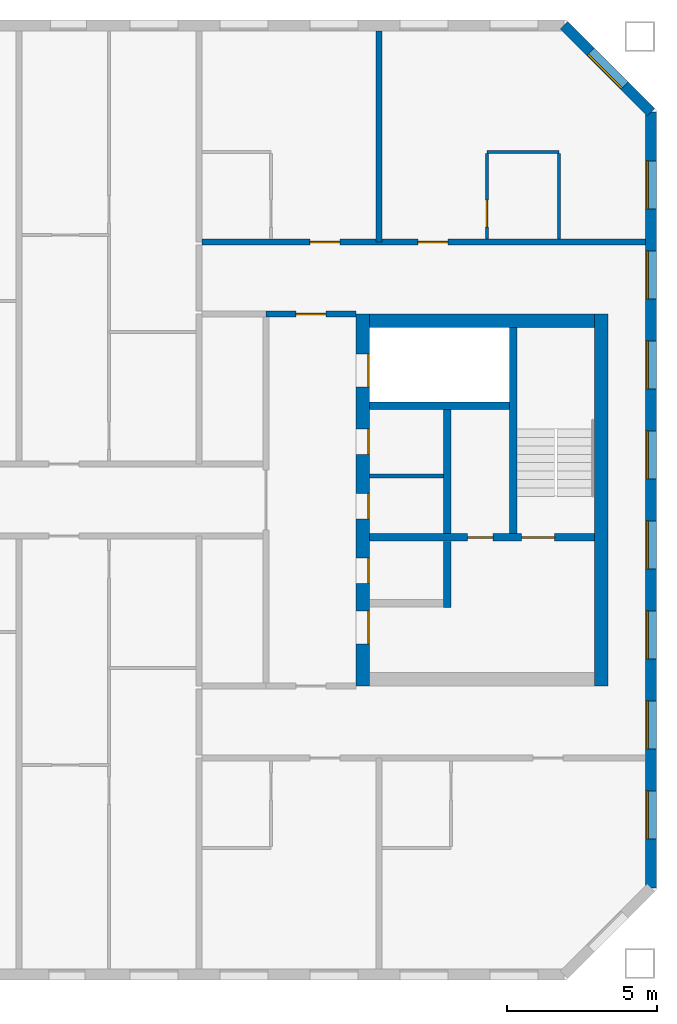
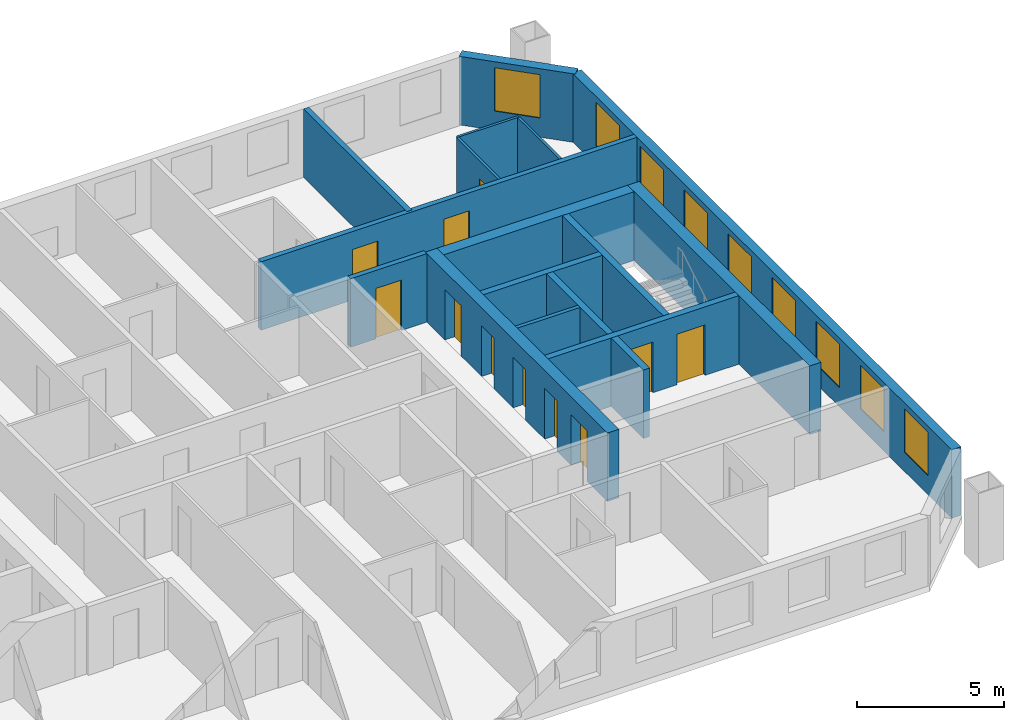
# One storey, part 12 of 15: 17 walls, 11 doors, 9 windows, 20 openings.
"""IFC4 building model written with IfcOpenShell, lengths in metres."""

from ifc_helpers import new_model, si_unit, direction, frame, frame_2d, origin, place, context, subcontext, project, spatial, rectangle, extrude, material, layer, layer_set, type_object, element, fill, save


model = new_model("IFC4")

# Units and contexts
model_context = context("Model", 3, precision=1e-05, world=origin(), true_north=direction((0.0, 1.0)))
body_context = subcontext(model_context, "Body", "Model", "MODEL_VIEW")
ifc_project = project(units=[si_unit("LENGTHUNIT", "METRE"), si_unit("AREAUNIT", "SQUARE_METRE"), si_unit("VOLUMEUNIT", "CUBIC_METRE"), si_unit("PLANEANGLEUNIT", "RADIAN"), si_unit("MASSUNIT", "GRAM", prefix="KILO")], contexts=[model_context])

# Site, building, storey
site_placement = place(None, origin())
site = spatial("IfcSite", under=ifc_project, at=site_placement, CompositionType="ELEMENT")
building_placement = place(site_placement, origin())
building = spatial("IfcBuilding", under=site, at=building_placement, Name="Tuart Gate Housing", CompositionType="ELEMENT")
storey_placement = place(building_placement, frame((0.0, 0.0, 191.300048828125)))
storey = spatial("IfcBuildingStorey", under=building, at=storey_placement, Name="L54", CompositionType="ELEMENT", Elevation=191.300048828125)

# Wall, openings, windows
ifc_material_1 = material(Name="Brick", Category="masonry")
ifc_layer_1 = layer(ifc_material_1, 0.360107421875)
ifc_layer_set_1 = layer_set([ifc_layer_1], Name="Brick pier and spandrel wall 360")
wall_type_1 = type_object("IfcWallType", Name="Brick pier and spandrel wall 360", PredefinedType="STANDARD", material=ifc_layer_set_1)
wall_1_placement = place(storey_placement, frame((170.070068359375, 57.07470703125, 0.0), z_axis=(0.0, 0.0, 1.0), x_axis=(0.0, 1.0, 0.0)))
wall_1 = element("IfcWall", 1, at=wall_1_placement, inside=storey, type_object=wall_type_1, Name="External wall B-E L54", PredefinedType="STANDARD", context=body_context, shape_type="SweptSolid", body=[
    extrude(rectangle(XDim=25.850830078125, YDim=0.360107421875, at=frame_2d((12.92529296875, 0.0))), origin(), (0.0, 0.0, 1.0), 2.849853515625),
])
opening_1_placement = place(wall_1_placement, frame((1.62548828125, 0.0, 0.800048828125)))
opening_1 = element("IfcOpeningElement", 2, at=opening_1_placement, cuts=wall_1, Name="Opening W1", PredefinedType="OPENING", context=body_context, shape_type="SweptSolid", body=[
    extrude(rectangle(XDim=1.60009765625, YDim=1.800048828125, at=frame_2d((0.800048828125, 0.89990234375))), frame((0.0, 0.18994140625, 0.0), z_axis=(0.0, -1.0, 0.0), x_axis=(1.0, 0.0, 0.0)), (0.0, 0.0, 1.0), 0.380126953125),
])
opening_2_placement = place(wall_1_placement, frame((4.62548828125, 0.0, 0.800048828125)))
opening_2 = element("IfcOpeningElement", 3, at=opening_2_placement, cuts=wall_1, Name="Opening W1", PredefinedType="OPENING", context=body_context, shape_type="SweptSolid", body=[
    extrude(rectangle(XDim=1.60009765625, YDim=1.800048828125, at=frame_2d((0.800048828125, 0.89990234375))), frame((0.0, 0.18994140625, 0.0), z_axis=(0.0, -1.0, 0.0), x_axis=(1.0, 0.0, 0.0)), (0.0, 0.0, 1.0), 0.380126953125),
])
opening_3_placement = place(wall_1_placement, frame((7.62548828125, 0.0, 0.800048828125)))
opening_3 = element("IfcOpeningElement", 4, at=opening_3_placement, cuts=wall_1, Name="Opening W1", PredefinedType="OPENING", context=body_context, shape_type="SweptSolid", body=[
    extrude(rectangle(XDim=1.60009765625, YDim=1.800048828125, at=frame_2d((0.800048828125, 0.89990234375))), frame((0.0, 0.18994140625, 0.0), z_axis=(0.0, -1.0, 0.0), x_axis=(1.0, 0.0, 0.0)), (0.0, 0.0, 1.0), 0.380126953125),
])
opening_4_placement = place(wall_1_placement, frame((10.62548828125, 0.0, 0.800048828125)))
opening_4 = element("IfcOpeningElement", 5, at=opening_4_placement, cuts=wall_1, Name="Opening W1", PredefinedType="OPENING", context=body_context, shape_type="SweptSolid", body=[
    extrude(rectangle(XDim=1.60009765625, YDim=1.800048828125, at=frame_2d((0.800048828125, 0.89990234375))), frame((0.0, 0.18994140625, 0.0), z_axis=(0.0, -1.0, 0.0), x_axis=(1.0, 0.0, 0.0)), (0.0, 0.0, 1.0), 0.380126953125),
])
opening_5_placement = place(wall_1_placement, frame((13.62548828125, 0.0, 0.800048828125)))
opening_5 = element("IfcOpeningElement", 6, at=opening_5_placement, cuts=wall_1, Name="Opening W1", PredefinedType="OPENING", context=body_context, shape_type="SweptSolid", body=[
    extrude(rectangle(XDim=1.60009765625, YDim=1.800048828125, at=frame_2d((0.800048828125, 0.89990234375))), frame((0.0, 0.18994140625, 0.0), z_axis=(0.0, -1.0, 0.0), x_axis=(1.0, 0.0, 0.0)), (0.0, 0.0, 1.0), 0.380126953125),
])
opening_6_placement = place(wall_1_placement, frame((16.62548828125, 0.0, 0.800048828125)))
opening_6 = element("IfcOpeningElement", 7, at=opening_6_placement, cuts=wall_1, Name="Opening W1", PredefinedType="OPENING", context=body_context, shape_type="SweptSolid", body=[
    extrude(rectangle(XDim=1.60009765625, YDim=1.800048828125, at=frame_2d((0.800048828125, 0.89990234375))), frame((0.0, 0.18994140625, 0.0), z_axis=(0.0, -1.0, 0.0), x_axis=(1.0, 0.0, 0.0)), (0.0, 0.0, 1.0), 0.380126953125),
])
opening_7_placement = place(wall_1_placement, frame((19.62548828125, 0.0, 0.800048828125)))
opening_7 = element("IfcOpeningElement", 8, at=opening_7_placement, cuts=wall_1, Name="Opening W1", PredefinedType="OPENING", context=body_context, shape_type="SweptSolid", body=[
    extrude(rectangle(XDim=1.60009765625, YDim=1.800048828125, at=frame_2d((0.800048828125, 0.89990234375))), frame((0.0, 0.18994140625, 0.0), z_axis=(0.0, -1.0, 0.0), x_axis=(1.0, 0.0, 0.0)), (0.0, 0.0, 1.0), 0.380126953125),
])
opening_8_placement = place(wall_1_placement, frame((22.62548828125, 0.0, 0.800048828125)))
opening_8 = element("IfcOpeningElement", 9, at=opening_8_placement, cuts=wall_1, Name="Opening W1", PredefinedType="OPENING", context=body_context, shape_type="SweptSolid", body=[
    extrude(rectangle(XDim=1.60009765625, YDim=1.800048828125, at=frame_2d((0.800048828125, 0.89990234375))), frame((0.0, 0.18994140625, 0.0), z_axis=(0.0, -1.0, 0.0), x_axis=(1.0, 0.0, 0.0)), (0.0, 0.0, 1.0), 0.380126953125),
])
ifc_material_2 = material(Name="Aluminium frame with clear glass", Category="aluminium")
window_type = type_object("IfcWindowType", Name="Punched window 1600 x 1800", PartitioningType="SINGLE_PANEL", PredefinedType="WINDOW", material=ifc_material_2)
window_1_placement = place(opening_1_placement, origin())
window_1 = element("IfcWindow", 10, at=window_1_placement, inside=storey, type_object=window_type, Name="Window W1", OverallHeight=1.800048828125, OverallWidth=1.60009765625, PartitioningType="SINGLE_PANEL", PredefinedType="WINDOW", context=body_context, shape_type="SweptSolid", body=[
    extrude(rectangle(XDim=1.60009765625, YDim=1.800048828125, at=frame_2d((0.800048828125, 0.89990234375))), frame((0.0, 0.150146484375, 0.0), z_axis=(0.0, -1.0, 0.0), x_axis=(1.0, 0.0, 0.0)), (0.0, 0.0, 1.0), 0.06005859375),
])
fill(opening_1, window_1)
window_2_placement = place(opening_2_placement, origin())
window_2 = element("IfcWindow", 11, at=window_2_placement, inside=storey, type_object=window_type, Name="Window W1", OverallHeight=1.800048828125, OverallWidth=1.60009765625, PartitioningType="SINGLE_PANEL", PredefinedType="WINDOW", context=body_context, shape_type="SweptSolid", body=[
    extrude(rectangle(XDim=1.60009765625, YDim=1.800048828125, at=frame_2d((0.800048828125, 0.89990234375))), frame((0.0, 0.150146484375, 0.0), z_axis=(0.0, -1.0, 0.0), x_axis=(1.0, 0.0, 0.0)), (0.0, 0.0, 1.0), 0.06005859375),
])
fill(opening_2, window_2)
window_3_placement = place(opening_3_placement, origin())
window_3 = element("IfcWindow", 12, at=window_3_placement, inside=storey, type_object=window_type, Name="Window W1", OverallHeight=1.800048828125, OverallWidth=1.60009765625, PartitioningType="SINGLE_PANEL", PredefinedType="WINDOW", context=body_context, shape_type="SweptSolid", body=[
    extrude(rectangle(XDim=1.60009765625, YDim=1.800048828125, at=frame_2d((0.800048828125, 0.89990234375))), frame((0.0, 0.150146484375, 0.0), z_axis=(0.0, -1.0, 0.0), x_axis=(1.0, 0.0, 0.0)), (0.0, 0.0, 1.0), 0.06005859375),
])
fill(opening_3, window_3)
window_4_placement = place(opening_4_placement, origin())
window_4 = element("IfcWindow", 13, at=window_4_placement, inside=storey, type_object=window_type, Name="Window W1", OverallHeight=1.800048828125, OverallWidth=1.60009765625, PartitioningType="SINGLE_PANEL", PredefinedType="WINDOW", context=body_context, shape_type="SweptSolid", body=[
    extrude(rectangle(XDim=1.60009765625, YDim=1.800048828125, at=frame_2d((0.800048828125, 0.89990234375))), frame((0.0, 0.150146484375, 0.0), z_axis=(0.0, -1.0, 0.0), x_axis=(1.0, 0.0, 0.0)), (0.0, 0.0, 1.0), 0.06005859375),
])
fill(opening_4, window_4)
window_5_placement = place(opening_5_placement, origin())
window_5 = element("IfcWindow", 14, at=window_5_placement, inside=storey, type_object=window_type, Name="Window W1", OverallHeight=1.800048828125, OverallWidth=1.60009765625, PartitioningType="SINGLE_PANEL", PredefinedType="WINDOW", context=body_context, shape_type="SweptSolid", body=[
    extrude(rectangle(XDim=1.60009765625, YDim=1.800048828125, at=frame_2d((0.800048828125, 0.89990234375))), frame((0.0, 0.150146484375, 0.0), z_axis=(0.0, -1.0, 0.0), x_axis=(1.0, 0.0, 0.0)), (0.0, 0.0, 1.0), 0.06005859375),
])
fill(opening_5, window_5)
window_6_placement = place(opening_6_placement, origin())
window_6 = element("IfcWindow", 15, at=window_6_placement, inside=storey, type_object=window_type, Name="Window W1", OverallHeight=1.800048828125, OverallWidth=1.60009765625, PartitioningType="SINGLE_PANEL", PredefinedType="WINDOW", context=body_context, shape_type="SweptSolid", body=[
    extrude(rectangle(XDim=1.60009765625, YDim=1.800048828125, at=frame_2d((0.800048828125, 0.89990234375))), frame((0.0, 0.150146484375, 0.0), z_axis=(0.0, -1.0, 0.0), x_axis=(1.0, 0.0, 0.0)), (0.0, 0.0, 1.0), 0.06005859375),
])
fill(opening_6, window_6)
window_7_placement = place(opening_7_placement, origin())
window_7 = element("IfcWindow", 16, at=window_7_placement, inside=storey, type_object=window_type, Name="Window W1", OverallHeight=1.800048828125, OverallWidth=1.60009765625, PartitioningType="SINGLE_PANEL", PredefinedType="WINDOW", context=body_context, shape_type="SweptSolid", body=[
    extrude(rectangle(XDim=1.60009765625, YDim=1.800048828125, at=frame_2d((0.800048828125, 0.89990234375))), frame((0.0, 0.150146484375, 0.0), z_axis=(0.0, -1.0, 0.0), x_axis=(1.0, 0.0, 0.0)), (0.0, 0.0, 1.0), 0.06005859375),
])
fill(opening_7, window_7)
window_8_placement = place(opening_8_placement, origin())
window_8 = element("IfcWindow", 17, at=window_8_placement, inside=storey, type_object=window_type, Name="Window W1", OverallHeight=1.800048828125, OverallWidth=1.60009765625, PartitioningType="SINGLE_PANEL", PredefinedType="WINDOW", context=body_context, shape_type="SweptSolid", body=[
    extrude(rectangle(XDim=1.60009765625, YDim=1.800048828125, at=frame_2d((0.800048828125, 0.89990234375))), frame((0.0, 0.150146484375, 0.0), z_axis=(0.0, -1.0, 0.0), x_axis=(1.0, 0.0, 0.0)), (0.0, 0.0, 1.0), 0.06005859375),
])
fill(opening_8, window_8)

# Wall, opening, window
wall_2_placement = place(storey_placement, frame((170.070068359375, 82.92529296875, 0.0), z_axis=(0.0, 0.0, 1.0), x_axis=(-0.707106781187, 0.707106781187, 0.0)))
wall_2 = element("IfcWall", 18, at=wall_2_placement, inside=storey, type_object=wall_type_1, Name="External wall B-NE L54", PredefinedType="STANDARD", context=body_context, shape_type="SweptSolid", body=[
    extrude(rectangle(XDim=4.09375, YDim=0.360107421875, at=frame_2d((2.046875, 0.0))), origin(), (0.0, 0.0, 1.0), 2.849853515625),
])
opening_9_placement = place(wall_2_placement, frame((1.2470703125, 0.0, 0.800048828125)))
opening_9 = element("IfcOpeningElement", 19, at=opening_9_placement, cuts=wall_2, Name="Opening W1", PredefinedType="OPENING", context=body_context, shape_type="SweptSolid", body=[
    extrude(rectangle(XDim=1.60009765625, YDim=1.800048828125, at=frame_2d((0.800048828125, 0.89990234375))), frame((0.0, 0.18994140625, 0.0), z_axis=(0.0, -1.0, 0.0), x_axis=(1.0, 0.0, 0.0)), (0.0, 0.0, 1.0), 0.380126953125),
])
window_9_placement = place(opening_9_placement, origin())
window_9 = element("IfcWindow", 20, at=window_9_placement, inside=storey, type_object=window_type, Name="Window W1", OverallHeight=1.800048828125, OverallWidth=1.60009765625, PartitioningType="SINGLE_PANEL", PredefinedType="WINDOW", context=body_context, shape_type="SweptSolid", body=[
    extrude(rectangle(XDim=1.60009765625, YDim=1.800048828125, at=frame_2d((0.800048828125, 0.89990234375))), frame((0.0, 0.150146484375, 0.0), z_axis=(0.0, -1.0, 0.0), x_axis=(1.0, 0.0, 0.0)), (0.0, 0.0, 1.0), 0.06005859375),
])
fill(opening_9, window_9)

# Walls
ifc_material_3 = material(Name="Plasterboard partition")
ifc_layer_2 = layer(ifc_material_3, 0.14990234375)
ifc_layer_set_2 = layer_set([ifc_layer_2], Name="Core partition 150")
wall_type_2 = type_object("IfcWallType", Name="Core partition 150", PredefinedType="PARTITIONING", material=ifc_layer_set_2)
wall_3_placement = place(storey_placement, frame((160.68994140625, 70.800048828125, 0.0), z_axis=(0.0, 0.0, 1.0), x_axis=(1.0, 0.0, 0.0)))
element("IfcWall", 21, at=wall_3_placement, inside=storey, type_object=wall_type_2, Name="Core partition BK.2", PredefinedType="PARTITIONING", context=body_context, shape_type="SweptSolid", body=[
    extrude(rectangle(XDim=2.47509765625, YDim=0.14990234375, at=frame_2d((1.237548828125, 0.0))), origin(), (0.0, 0.0, 1.0), 2.849853515625),
])
ifc_material_4 = material(Name="Concrete C40", Category="concrete")
ifc_layer_3 = layer(ifc_material_4, 0.25)
ifc_layer_set_3 = layer_set([ifc_layer_3], Name="Core wall 250 C40")
wall_type_3 = type_object("IfcWallType", Name="Core wall 250 C40", PredefinedType="SHEAR", material=ifc_layer_set_3)
wall_4_placement = place(storey_placement, frame((160.68994140625, 73.14990234375, 0.0), z_axis=(0.0, 0.0, 1.0), x_axis=(1.0, 0.0, 0.0)))
element("IfcWall", 22, at=wall_4_placement, inside=storey, type_object=wall_type_3, Name="Core wall BK.1", PredefinedType="SHEAR", context=body_context, shape_type="SweptSolid", body=[
    extrude(rectangle(XDim=4.675048828125, YDim=0.25, at=frame_2d((2.33740234375, 0.0))), origin(), (0.0, 0.0, 1.0), 2.849853515625),
])

# Wall, openings, doors
wall_5_placement = place(storey_placement, frame((160.68994140625, 68.75, 0.0), z_axis=(0.0, 0.0, 1.0), x_axis=(1.0, 0.0, 0.0)))
wall_5 = element("IfcWall", 23, at=wall_5_placement, inside=storey, type_object=wall_type_3, Name="Core wall BK.3", PredefinedType="SHEAR", context=body_context, shape_type="SweptSolid", body=[
    extrude(rectangle(XDim=7.5, YDim=0.25, at=frame_2d((3.75, 0.0))), origin(), (0.0, 0.0, 1.0), 2.849853515625),
])
opening_10_placement = place(wall_5_placement, frame((5.074951171875, 0.0, 0.0)))
opening_10 = element("IfcOpeningElement", 24, at=opening_10_placement, cuts=wall_5, Name="Opening D2696", PredefinedType="OPENING", context=body_context, shape_type="SweptSolid", body=[
    extrude(rectangle(XDim=1.10009765625, YDim=2.10009765625, at=frame_2d((0.550048828125, 1.050048828125))), frame((0.0, 0.135009765625, 0.0), z_axis=(0.0, -1.0, 0.0), x_axis=(1.0, 0.0, 0.0)), (0.0, 0.0, 1.0), 0.27001953125),
])
opening_11_placement = place(wall_5_placement, frame((3.27490234375, 0.0, 0.0)))
opening_11 = element("IfcOpeningElement", 25, at=opening_11_placement, cuts=wall_5, Name="Opening D2695", PredefinedType="OPENING", context=body_context, shape_type="SweptSolid", body=[
    extrude(rectangle(XDim=0.85009765625, YDim=2.10009765625, at=frame_2d((0.425048828125, 1.050048828125))), frame((0.0, 0.135009765625, 0.0), z_axis=(0.0, -1.0, 0.0), x_axis=(1.0, 0.0, 0.0)), (0.0, 0.0, 1.0), 0.27001953125),
])
ifc_material_5 = material(Name="Steel fire door", Category="steel")
door_type_1 = type_object("IfcDoorType", Name="Riser door 850 x 2100", OperationType="SINGLE_SWING_LEFT", PredefinedType="DOOR", material=ifc_material_5)
door_1_placement = place(opening_11_placement, origin())
door_1 = element("IfcDoor", 26, at=door_1_placement, inside=storey, type_object=door_type_1, Name="Service room door BK.W1", OperationType="SINGLE_SWING_LEFT", OverallHeight=2.10009765625, OverallWidth=0.85009765625, PredefinedType="DOOR", context=body_context, shape_type="SweptSolid", body=[
    extrude(rectangle(XDim=0.85009765625, YDim=2.10009765625, at=frame_2d((0.425048828125, 1.050048828125))), frame((0.0, 0.02490234375, 0.0), z_axis=(0.0, -1.0, 0.0), x_axis=(1.0, 0.0, 0.0)), (0.0, 0.0, 1.0), 0.050048828125),
])
fill(opening_11, door_1)
ifc_material_6 = material(Name="Steel fire door", Category="steel")
door_type_2 = type_object("IfcDoorType", Name="Stair door 1100 x 2100", OperationType="SINGLE_SWING_LEFT", PredefinedType="DOOR", material=ifc_material_6)
door_2_placement = place(opening_10_placement, origin())
door_2 = element("IfcDoor", 27, at=door_2_placement, inside=storey, type_object=door_type_2, Name="Stair door BK.SD", OperationType="SINGLE_SWING_LEFT", OverallHeight=2.10009765625, OverallWidth=1.10009765625, PredefinedType="DOOR", context=body_context, shape_type="SweptSolid", body=[
    extrude(rectangle(XDim=1.10009765625, YDim=2.10009765625, at=frame_2d((0.550048828125, 1.050048828125))), frame((0.0, 0.02490234375, 0.0), z_axis=(0.0, -1.0, 0.0), x_axis=(1.0, 0.0, 0.0)), (0.0, 0.0, 1.0), 0.050048828125),
])
fill(opening_10, door_2)

# Walls
wall_6_placement = place(storey_placement, frame((163.2900390625, 73.02490234375, 0.0), z_axis=(0.0, 0.0, 1.0), x_axis=(0.0, -1.0, 0.0)))
element("IfcWall", 28, at=wall_6_placement, inside=storey, type_object=wall_type_3, Name="Core wall BK.5", PredefinedType="SHEAR", context=body_context, shape_type="SweptSolid", body=[
    extrude(rectangle(XDim=4.14990234375, YDim=0.25, at=frame_2d((2.074951171875, 0.0))), origin(), (0.0, 0.0, 1.0), 2.849853515625),
])
wall_7_placement = place(storey_placement, frame((163.2900390625, 68.625, 0.0), z_axis=(0.0, 0.0, 1.0), x_axis=(0.0, -1.0, 0.0)))
element("IfcWall", 29, at=wall_7_placement, inside=storey, type_object=wall_type_3, Name="Core wall BK.6", PredefinedType="SHEAR", context=body_context, shape_type="SweptSolid", body=[
    extrude(rectangle(XDim=2.199951171875, YDim=0.25, at=frame_2d((1.10009765625, 0.0))), origin(), (0.0, 0.0, 1.0), 2.849853515625),
])
wall_8_placement = place(storey_placement, frame((165.489990234375, 75.75, 0.0), z_axis=(0.0, 0.0, 1.0), x_axis=(0.0, -1.0, 0.0)))
element("IfcWall", 30, at=wall_8_placement, inside=storey, type_object=wall_type_3, Name="Core wall BK.7", PredefinedType="SHEAR", context=body_context, shape_type="SweptSolid", body=[
    extrude(rectangle(XDim=6.875, YDim=0.25, at=frame_2d((3.4375, 0.0))), origin(), (0.0, 0.0, 1.0), 2.849853515625),
])

# Wall, openings, doors
ifc_material_7 = material(Name="Concrete C40", Category="concrete")
ifc_layer_4 = layer(ifc_material_7, 0.449951171875)
ifc_layer_set_4 = layer_set([ifc_layer_4], Name="Core wall 450 C40")
wall_type_4 = type_object("IfcWallType", Name="Core wall 450 C40", PredefinedType="SHEAR", material=ifc_layer_set_4)
wall_9_placement = place(storey_placement, frame((160.465087890625, 76.199951171875, 0.0), z_axis=(0.0, 0.0, 1.0), x_axis=(0.0, -1.0, 0.0)))
wall_9 = element("IfcWall", 31, at=wall_9_placement, inside=storey, type_object=wall_type_4, Name="Core wall BK front", PredefinedType="SHEAR", context=body_context, shape_type="SweptSolid", body=[
    extrude(rectangle(XDim=12.39990234375, YDim=0.449951171875, at=frame_2d((6.199951171875, 0.0))), origin(), (0.0, 0.0, 1.0), 2.849853515625),
])
opening_12_placement = place(wall_9_placement, frame((1.324951171875, 0.0, 0.0)))
opening_12 = element("IfcOpeningElement", 32, at=opening_12_placement, cuts=wall_9, Name="Opening LD-FB2", PredefinedType="OPENING", context=body_context, shape_type="SweptSolid", body=[
    extrude(rectangle(XDim=1.10009765625, YDim=2.10009765625, at=frame_2d((0.550048828125, 1.050048828125))), frame((0.0, 0.23486328125, 0.0), z_axis=(0.0, -1.0, 0.0), x_axis=(1.0, 0.0, 0.0)), (0.0, 0.0, 1.0), 0.469970703125),
])
opening_13_placement = place(wall_9_placement, frame((3.824951171875, 0.0, 0.0)))
opening_13 = element("IfcOpeningElement", 33, at=opening_13_placement, cuts=wall_9, Name="Opening D2689", PredefinedType="OPENING", context=body_context, shape_type="SweptSolid", body=[
    extrude(rectangle(XDim=0.85009765625, YDim=2.10009765625, at=frame_2d((0.425048828125, 1.050048828125))), frame((0.0, 0.23486328125, 0.0), z_axis=(0.0, -1.0, 0.0), x_axis=(1.0, 0.0, 0.0)), (0.0, 0.0, 1.0), 0.469970703125),
])
opening_14_placement = place(wall_9_placement, frame((5.97509765625, 0.0, 0.0)))
opening_14 = element("IfcOpeningElement", 34, at=opening_14_placement, cuts=wall_9, Name="Opening D2690", PredefinedType="OPENING", context=body_context, shape_type="SweptSolid", body=[
    extrude(rectangle(XDim=0.85009765625, YDim=2.10009765625, at=frame_2d((0.425048828125, 1.050048828125))), frame((0.0, 0.23486328125, 0.0), z_axis=(0.0, -1.0, 0.0), x_axis=(1.0, 0.0, 0.0)), (0.0, 0.0, 1.0), 0.469970703125),
])
opening_15_placement = place(wall_9_placement, frame((9.89990234375, 0.0, 0.0)))
opening_15 = element("IfcOpeningElement", 35, at=opening_15_placement, cuts=wall_9, Name="Opening D2688", PredefinedType="OPENING", context=body_context, shape_type="SweptSolid", body=[
    extrude(rectangle(XDim=1.10009765625, YDim=2.10009765625, at=frame_2d((0.550048828125, 1.050048828125))), frame((0.0, 0.23486328125, 0.0), z_axis=(0.0, -1.0, 0.0), x_axis=(1.0, 0.0, 0.0)), (0.0, 0.0, 1.0), 0.469970703125),
])
opening_16_placement = place(wall_9_placement, frame((8.125, 0.0, 0.0)))
opening_16 = element("IfcOpeningElement", 36, at=opening_16_placement, cuts=wall_9, Name="Opening D2691", PredefinedType="OPENING", context=body_context, shape_type="SweptSolid", body=[
    extrude(rectangle(XDim=0.85009765625, YDim=2.10009765625, at=frame_2d((0.425048828125, 1.050048828125))), frame((0.0, 0.23486328125, 0.0), z_axis=(0.0, -1.0, 0.0), x_axis=(1.0, 0.0, 0.0)), (0.0, 0.0, 1.0), 0.469970703125),
])
ifc_material_8 = material(Name="Stainless steel", Category="steel")
door_type_3 = type_object("IfcDoorType", Name="Landing door 1100 x 2100", OperationType="DOUBLE_DOOR_SLIDING", PredefinedType="DOOR", material=ifc_material_8)
door_3_placement = place(opening_12_placement, origin())
door_3 = element("IfcDoor", 37, at=door_3_placement, inside=storey, type_object=door_type_3, Name="Lift landing door FB2", OperationType="DOUBLE_DOOR_SLIDING", OverallHeight=2.10009765625, OverallWidth=1.10009765625, PredefinedType="DOOR", context=body_context, shape_type="SweptSolid", body=[
    extrude(rectangle(XDim=1.10009765625, YDim=2.10009765625, at=frame_2d((0.550048828125, 1.050048828125))), frame((0.0, 0.2099609375, 0.0), z_axis=(0.0, -1.0, 0.0), x_axis=(1.0, 0.0, 0.0)), (0.0, 0.0, 1.0), 0.050048828125),
])
fill(opening_12, door_3)
ifc_material_9 = material(Name="Steel fire door", Category="steel")
door_type_4 = type_object("IfcDoorType", Name="Lobby door 1100 x 2100", OperationType="SINGLE_SWING_LEFT", PredefinedType="DOOR", material=ifc_material_9)
door_4_placement = place(opening_15_placement, origin())
door_4 = element("IfcDoor", 38, at=door_4_placement, inside=storey, type_object=door_type_4, Name="Lobby entry door BK.EN", OperationType="SINGLE_SWING_LEFT", OverallHeight=2.10009765625, OverallWidth=1.10009765625, PredefinedType="DOOR", context=body_context, shape_type="SweptSolid", body=[
    extrude(rectangle(XDim=1.10009765625, YDim=2.10009765625, at=frame_2d((0.550048828125, 1.050048828125))), frame((0.0, 0.2099609375, 0.0), z_axis=(0.0, -1.0, 0.0), x_axis=(1.0, 0.0, 0.0)), (0.0, 0.0, 1.0), 0.050048828125),
])
fill(opening_15, door_4)
ifc_material_10 = material(Name="Steel fire door", Category="steel")
door_type_5 = type_object("IfcDoorType", Name="Service door 850 x 2100", OperationType="SINGLE_SWING_LEFT", PredefinedType="DOOR", material=ifc_material_10)
door_5_placement = place(opening_13_placement, origin())
door_5 = element("IfcDoor", 39, at=door_5_placement, inside=storey, type_object=door_type_5, Name="Service room door BK.FR1", OperationType="SINGLE_SWING_LEFT", OverallHeight=2.10009765625, OverallWidth=0.85009765625, PredefinedType="DOOR", context=body_context, shape_type="SweptSolid", body=[
    extrude(rectangle(XDim=0.85009765625, YDim=2.10009765625, at=frame_2d((0.425048828125, 1.050048828125))), frame((0.0, 0.2099609375, 0.0), z_axis=(0.0, -1.0, 0.0), x_axis=(1.0, 0.0, 0.0)), (0.0, 0.0, 1.0), 0.050048828125),
])
fill(opening_13, door_5)
door_6_placement = place(opening_14_placement, origin())
door_6 = element("IfcDoor", 40, at=door_6_placement, inside=storey, type_object=door_type_5, Name="Service room door BK.FR2", OperationType="SINGLE_SWING_LEFT", OverallHeight=2.10009765625, OverallWidth=0.85009765625, PredefinedType="DOOR", context=body_context, shape_type="SweptSolid", body=[
    extrude(rectangle(XDim=0.85009765625, YDim=2.10009765625, at=frame_2d((0.425048828125, 1.050048828125))), frame((0.0, 0.2099609375, 0.0), z_axis=(0.0, -1.0, 0.0), x_axis=(1.0, 0.0, 0.0)), (0.0, 0.0, 1.0), 0.050048828125),
])
fill(opening_14, door_6)
door_7_placement = place(opening_16_placement, origin())
door_7 = element("IfcDoor", 41, at=door_7_placement, inside=storey, type_object=door_type_5, Name="Service room door BK.T1", OperationType="SINGLE_SWING_LEFT", OverallHeight=2.10009765625, OverallWidth=0.85009765625, PredefinedType="DOOR", context=body_context, shape_type="SweptSolid", body=[
    extrude(rectangle(XDim=0.85009765625, YDim=2.10009765625, at=frame_2d((0.425048828125, 1.050048828125))), frame((0.0, 0.2099609375, 0.0), z_axis=(0.0, -1.0, 0.0), x_axis=(1.0, 0.0, 0.0)), (0.0, 0.0, 1.0), 0.050048828125),
])
fill(opening_16, door_7)

# Walls
wall_10_placement = place(storey_placement, frame((168.4150390625, 76.199951171875, 0.0), z_axis=(0.0, 0.0, 1.0), x_axis=(0.0, -1.0, 0.0)))
element("IfcWall", 42, at=wall_10_placement, inside=storey, type_object=wall_type_4, Name="Core wall BK back", PredefinedType="SHEAR", context=body_context, shape_type="SweptSolid", body=[
    extrude(rectangle(XDim=12.39990234375, YDim=0.449951171875, at=frame_2d((6.199951171875, 0.0))), origin(), (0.0, 0.0, 1.0), 2.849853515625),
])
wall_11_placement = place(storey_placement, frame((160.68994140625, 75.97509765625, 0.0), z_axis=(0.0, 0.0, 1.0), x_axis=(1.0, 0.0, 0.0)))
element("IfcWall", 43, at=wall_11_placement, inside=storey, type_object=wall_type_4, Name="Core wall BK south", PredefinedType="SHEAR", context=body_context, shape_type="SweptSolid", body=[
    extrude(rectangle(XDim=7.5, YDim=0.449951171875, at=frame_2d((3.75, 0.0))), origin(), (0.0, 0.0, 1.0), 2.849853515625),
])

# Wall, openings, doors
ifc_material_11 = material(Name="Concrete masonry 15 MPa", Category="masonry")
ifc_layer_5 = layer(ifc_material_11, 0.199951171875)
ifc_layer_set_5 = layer_set([ifc_layer_5], Name="Corridor wall masonry 200")
wall_type_5 = type_object("IfcWallType", Name="Corridor wall masonry 200", PredefinedType="PARTITIONING", material=ifc_layer_set_5)
wall_12_placement = place(storey_placement, frame((155.10009765625, 78.60009765625, 0.0), z_axis=(0.0, 0.0, 1.0), x_axis=(1.0, 0.0, 0.0)))
wall_12 = element("IfcWall", 44, at=wall_12_placement, inside=storey, type_object=wall_type_5, Name="Corridor wall masonry 200", PredefinedType="PARTITIONING", context=body_context, shape_type="SweptSolid", body=[
    extrude(rectangle(XDim=14.789794921875, YDim=0.199951171875, at=frame_2d((7.39501953125, 0.0))), origin(), (0.0, 0.0, 1.0), 2.849853515625),
])
opening_17_placement = place(wall_12_placement, frame((3.60009765625, 0.0, 0.0)))
opening_17 = element("IfcOpeningElement", 45, at=opening_17_placement, cuts=wall_12, Name="Opening D2671", PredefinedType="OPENING", context=body_context, shape_type="SweptSolid", body=[
    extrude(rectangle(XDim=1.0, YDim=2.10009765625, at=frame_2d((0.5, 1.050048828125))), frame((0.0, 0.10986328125, 0.0), z_axis=(0.0, -1.0, 0.0), x_axis=(1.0, 0.0, 0.0)), (0.0, 0.0, 1.0), 0.219970703125),
])
opening_18_placement = place(wall_12_placement, frame((7.199951171875, 0.0, 0.0)))
opening_18 = element("IfcOpeningElement", 46, at=opening_18_placement, cuts=wall_12, Name="Opening D2672", PredefinedType="OPENING", context=body_context, shape_type="SweptSolid", body=[
    extrude(rectangle(XDim=1.0, YDim=2.10009765625, at=frame_2d((0.5, 1.050048828125))), frame((0.0, 0.10986328125, 0.0), z_axis=(0.0, -1.0, 0.0), x_axis=(1.0, 0.0, 0.0)), (0.0, 0.0, 1.0), 0.219970703125),
])
ifc_material_12 = material(Name="Timber door leaf in steel frame", Category="steel")
door_type_6 = type_object("IfcDoorType", Name="Flat entrance door 1000", OperationType="SINGLE_SWING_LEFT", PredefinedType="DOOR", material=ifc_material_12)
door_8_placement = place(opening_17_placement, origin())
door_8 = element("IfcDoor", 47, at=door_8_placement, inside=storey, type_object=door_type_6, Name="Flat entrance door", OperationType="SINGLE_SWING_LEFT", OverallHeight=2.10009765625, OverallWidth=1.0, PredefinedType="DOOR", context=body_context, shape_type="SweptSolid", body=[
    extrude(rectangle(XDim=1.0, YDim=2.10009765625, at=frame_2d((0.5, 1.050048828125))), frame((0.0, 0.02490234375, 0.0), z_axis=(0.0, -1.0, 0.0), x_axis=(1.0, 0.0, 0.0)), (0.0, 0.0, 1.0), 0.050048828125),
])
fill(opening_17, door_8)
door_9_placement = place(opening_18_placement, origin())
door_9 = element("IfcDoor", 48, at=door_9_placement, inside=storey, type_object=door_type_6, Name="Flat entrance door", OperationType="SINGLE_SWING_LEFT", OverallHeight=2.10009765625, OverallWidth=1.0, PredefinedType="DOOR", context=body_context, shape_type="SweptSolid", body=[
    extrude(rectangle(XDim=1.0, YDim=2.10009765625, at=frame_2d((0.5, 1.050048828125))), frame((0.0, 0.02490234375, 0.0), z_axis=(0.0, -1.0, 0.0), x_axis=(1.0, 0.0, 0.0)), (0.0, 0.0, 1.0), 0.050048828125),
])
fill(opening_18, door_9)

# Wall, opening, door
ifc_material_13 = material(Name="Concrete masonry 15 MPa", Category="masonry")
ifc_layer_6 = layer(ifc_material_13, 0.199951171875)
ifc_layer_set_6 = layer_set([ifc_layer_6], Name="Enclosure wall masonry 200")
wall_type_6 = type_object("IfcWallType", Name="Enclosure wall masonry 200", PredefinedType="PARTITIONING", material=ifc_layer_set_6)
wall_13_placement = place(storey_placement, frame((157.239990234375, 76.199951171875, 0.0), z_axis=(0.0, 0.0, 1.0), x_axis=(1.0, 0.0, 0.0)))
wall_13 = element("IfcWall", 49, at=wall_13_placement, inside=storey, type_object=wall_type_6, Name="Enclosure wall masonry 200", PredefinedType="PARTITIONING", context=body_context, shape_type="SweptSolid", body=[
    extrude(rectangle(XDim=3.0, YDim=0.199951171875, at=frame_2d((1.5, 0.0))), origin(), (0.0, 0.0, 1.0), 2.849853515625),
])
opening_19_placement = place(wall_13_placement, frame((1.0, 0.0, 0.0)))
opening_19 = element("IfcOpeningElement", 50, at=opening_19_placement, cuts=wall_13, Name="Opening D2679", PredefinedType="OPENING", context=body_context, shape_type="SweptSolid", body=[
    extrude(rectangle(XDim=1.0, YDim=2.10009765625, at=frame_2d((0.5, 1.050048828125))), frame((0.0, 0.10986328125, 0.0), z_axis=(0.0, -1.0, 0.0), x_axis=(1.0, 0.0, 0.0)), (0.0, 0.0, 1.0), 0.219970703125),
])
ifc_material_14 = material(Name="Timber door leaf in steel frame", Category="steel")
door_type_7 = type_object("IfcDoorType", Name="Fire door 1000", OperationType="SINGLE_SWING_LEFT", PredefinedType="DOOR", material=ifc_material_14)
door_10_placement = place(opening_19_placement, origin())
door_10 = element("IfcDoor", 51, at=door_10_placement, inside=storey, type_object=door_type_7, Name="Fire door", OperationType="SINGLE_SWING_LEFT", OverallHeight=2.10009765625, OverallWidth=1.0, PredefinedType="DOOR", context=body_context, shape_type="SweptSolid", body=[
    extrude(rectangle(XDim=1.0, YDim=2.10009765625, at=frame_2d((0.5, 1.050048828125))), frame((0.0, 0.02490234375, 0.0), z_axis=(0.0, -1.0, 0.0), x_axis=(1.0, 0.0, 0.0)), (0.0, 0.0, 1.0), 0.050048828125),
])
fill(opening_19, door_10)

# Wall
ifc_material_15 = material(Name="Gypsum board on steel studs", Category="steel")
ifc_layer_7 = layer(ifc_material_15, 0.10009765625)
ifc_layer_set_7 = layer_set([ifc_layer_7], Name="Partition 100")
wall_type_7 = type_object("IfcWallType", Name="Partition 100", PredefinedType="PARTITIONING", material=ifc_layer_set_7)
wall_14_placement = place(storey_placement, frame((164.60009765625, 81.60009765625, 0.0), z_axis=(0.0, 0.0, 1.0), x_axis=(1.0, 0.0, 0.0)))
element("IfcWall", 52, at=wall_14_placement, inside=storey, type_object=wall_type_7, Name="Partition 100", PredefinedType="PARTITIONING", context=body_context, shape_type="SweptSolid", body=[
    extrude(rectangle(XDim=2.39990234375, YDim=0.10009765625, at=frame_2d((1.199951171875, 0.0))), origin(), (0.0, 0.0, 1.0), 2.849853515625),
])

# Wall, opening, door
wall_15_placement = place(storey_placement, frame((164.60009765625, 78.699951171875, 0.0), z_axis=(0.0, 0.0, 1.0), x_axis=(0.0, 1.0, 0.0)))
wall_15 = element("IfcWall", 53, at=wall_15_placement, inside=storey, type_object=wall_type_7, Name="Partition 100", PredefinedType="PARTITIONING", context=body_context, shape_type="SweptSolid", body=[
    extrude(rectangle(XDim=2.85009765625, YDim=0.10009765625, at=frame_2d((1.425048828125, 0.0))), origin(), (0.0, 0.0, 1.0), 2.849853515625),
])
opening_20_placement = place(wall_15_placement, frame((0.39990234375, 0.0, 0.0)))
opening_20 = element("IfcOpeningElement", 54, at=opening_20_placement, cuts=wall_15, Name="Opening D2667", PredefinedType="OPENING", context=body_context, shape_type="SweptSolid", body=[
    extrude(rectangle(XDim=0.89990234375, YDim=2.10009765625, at=frame_2d((0.449951171875, 1.050048828125))), frame((0.0, 0.06005859375, 0.0), z_axis=(0.0, -1.0, 0.0), x_axis=(1.0, 0.0, 0.0)), (0.0, 0.0, 1.0), 0.1201171875),
])
ifc_material_16 = material(Name="Timber door leaf in steel frame", Category="steel")
door_type_8 = type_object("IfcDoorType", Name="Bathroom door 900 RH", OperationType="SINGLE_SWING_RIGHT", PredefinedType="DOOR", material=ifc_material_16)
door_11_placement = place(opening_20_placement, frame((0.89990234375, 0.0, 0.0), z_axis=(0.0, 0.0, 1.0), x_axis=(-1.0, 0.0, 0.0)))
door_11 = element("IfcDoor", 55, at=door_11_placement, inside=storey, type_object=door_type_8, Name="Bathroom door", OperationType="SINGLE_SWING_RIGHT", OverallHeight=2.10009765625, OverallWidth=0.89990234375, PredefinedType="DOOR", context=body_context, shape_type="SweptSolid", body=[
    extrude(rectangle(XDim=0.89990234375, YDim=2.10009765625, at=frame_2d((0.449951171875, 1.050048828125))), frame((0.0, 0.025146484375, 0.0), z_axis=(0.0, -1.0, 0.0), x_axis=(1.0, 0.0, 0.0)), (0.0, 0.0, 1.0), 0.050048828125),
])
fill(opening_20, door_11)

# Walls
wall_16_placement = place(storey_placement, frame((167.0, 78.699951171875, 0.0), z_axis=(0.0, 0.0, 1.0), x_axis=(0.0, 1.0, 0.0)))
element("IfcWall", 56, at=wall_16_placement, inside=storey, type_object=wall_type_7, Name="Partition 100", PredefinedType="PARTITIONING", context=body_context, shape_type="SweptSolid", body=[
    extrude(rectangle(XDim=2.85009765625, YDim=0.10009765625, at=frame_2d((1.425048828125, 0.0))), origin(), (0.0, 0.0, 1.0), 2.849853515625),
])
ifc_material_17 = material(Name="Concrete C40", Category="concrete")
ifc_layer_8 = layer(ifc_material_17, 0.199951171875)
ifc_layer_set_8 = layer_set([ifc_layer_8], Name="Party wall concrete C40 200")
wall_type_8 = type_object("IfcWallType", Name="Party wall concrete C40 200", PredefinedType="SOLIDWALL", material=ifc_layer_set_8)
wall_17_placement = place(storey_placement, frame((161.0, 78.60009765625, 0.0), z_axis=(0.0, 0.0, 1.0), x_axis=(0.0, 1.0, 0.0)))
element("IfcWall", 57, at=wall_17_placement, inside=storey, type_object=wall_type_8, Name="Party wall concrete C40 200", PredefinedType="SOLIDWALL", context=body_context, shape_type="SweptSolid", body=[
    extrude(rectangle(XDim=7.039794921875, YDim=0.199951171875, at=frame_2d((3.52001953125, 0.0))), origin(), (0.0, 0.0, 1.0), 2.849853515625),
])

save(model, "model.ifc")
